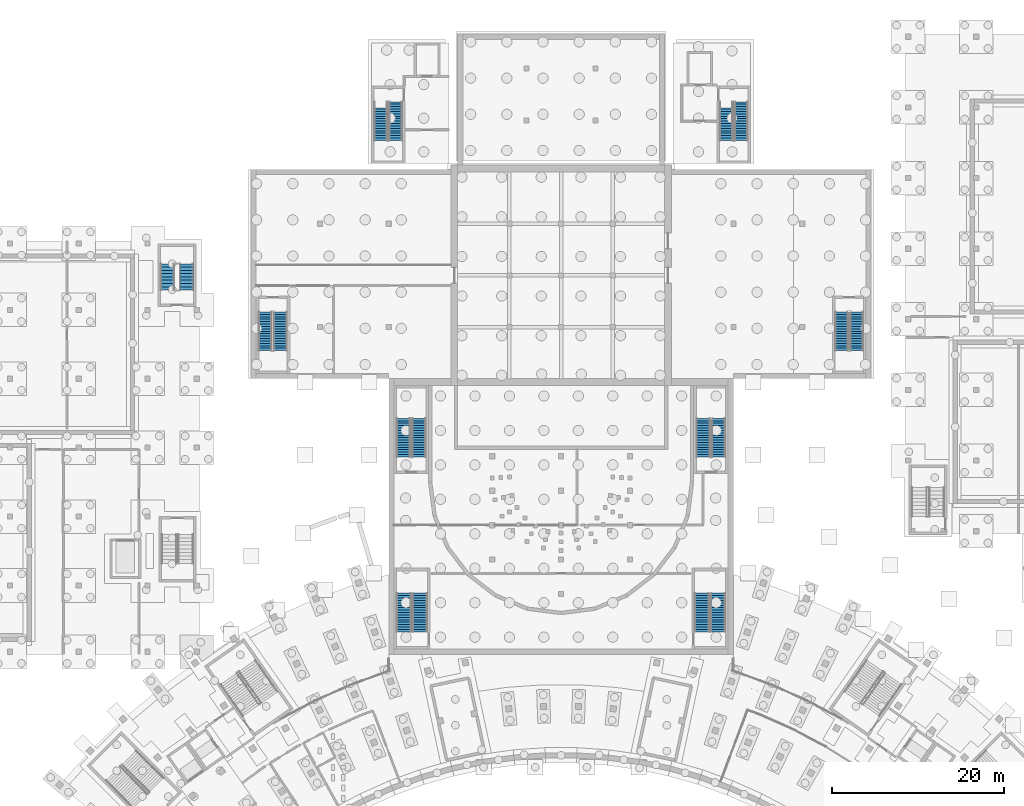
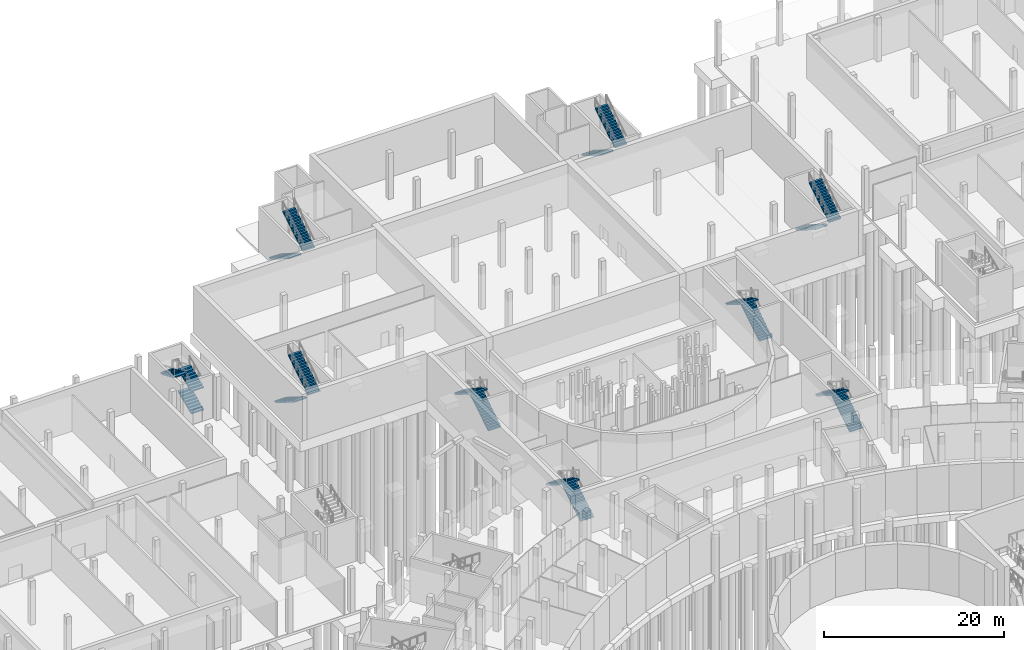
# One storey, part 32 of 66: 19 stair flights, 9 elements without a shape of their own.
"""IFC4 building model written with IfcOpenShell, lengths in metres."""

import ifcopenshell
import ifcopenshell.guid

model = None  # the IFC model being written
_history = None  # IfcOwnerHistory: only IFC2X3 demands one
_inside = {}  # id of a spatial element -> (the spatial element, [elements in it])
_under = {}  # id of a project, library or spatial element -> (it, [spatial elements below it])
_declared = {}  # id of a project -> (the project, [libraries it declares])
_typed = {}  # id of a type object -> (the type object, [elements of that type])
_made_of = {}  # id of a material, layer set ... -> (it, [elements and type objects made of it])


def new_model(schema):
    """Start an empty IFC model of exactly this schema.

    Asked for "IFC4X3", IfcOpenShell would pick the latest addendum, in which some entities
    have other attributes; the version numbers below select the first issue.
    IFC2X3 requires an IfcOwnerHistory on every rooted entity: one is made here for all.
    """
    global model, _history
    if schema == "IFC4X3":
        model = ifcopenshell.file(schema_version=(4, 3, 0, 0))
    else:
        model = ifcopenshell.file(schema=schema)
    _inside.clear()
    _under.clear()
    _declared.clear()
    _typed.clear()
    _made_of.clear()
    _history = None
    if model.schema == "IFC2X3":
        org = make("IfcOrganization", Name="unknown")
        user = make(
            "IfcPersonAndOrganization",
            ThePerson=make("IfcPerson", FamilyName="unknown"),
            TheOrganization=org,
        )
        app = make(
            "IfcApplication",
            ApplicationDeveloper=org,
            Version="unknown",
            ApplicationFullName="unknown",
            ApplicationIdentifier="unknown",
        )
        _history = make(
            "IfcOwnerHistory",
            OwningUser=user,
            OwningApplication=app,
            ChangeAction="ADDED",
            CreationDate=0,
        )
    return model


def make(cls, **values):
    """One entity of the class cls with the attributes given. An attribute that is None is left unset."""
    return model.create_entity(
        cls, **{name: value for name, value in values.items() if value is not None}
    )


def rooted(cls, **values):
    """An entity with a GlobalId (a new one), such as an element, a storey or a relation."""
    return make(cls, GlobalId=ifcopenshell.guid.new(), OwnerHistory=_history, **values)


def si_unit(unit_type, name, prefix=None):
    """IfcSIUnit, for example si_unit("LENGTHUNIT", "METRE", prefix="MILLI")."""
    return make("IfcSIUnit", UnitType=unit_type, Prefix=prefix, Name=name)


def assignment(units):
    """IfcUnitAssignment: the units of a project."""
    return None if units is None else make("IfcUnitAssignment", Units=units)


def point(xyz):
    """IfcCartesianPoint."""
    return None if xyz is None else make("IfcCartesianPoint", Coordinates=xyz)


def direction(xyz):
    """IfcDirection."""
    return None if xyz is None else make("IfcDirection", DirectionRatios=xyz)


def frame(location, z_axis=None, x_axis=None):
    """IfcAxis2Placement3D, a coordinate frame: its origin and axes. An axis left out is left unset."""
    return make(
        "IfcAxis2Placement3D",
        Location=point(location),
        Axis=direction(z_axis),
        RefDirection=direction(x_axis),
    )


def origin():
    """The frame at (0, 0, 0) with its axes left unset."""
    return frame((0.0, 0.0, 0.0))


def place(relative_to, where):
    """IfcLocalPlacement: puts the frame where relative to a parent placement (None: the world)."""
    return make(
        "IfcLocalPlacement", PlacementRelTo=relative_to, RelativePlacement=where
    )


def context(
    kind, dimensions, precision=None, world=None, true_north=None, identifier=None
):
    """IfcGeometricRepresentationContext, for example the 3D "Model" context."""
    return make(
        "IfcGeometricRepresentationContext",
        ContextIdentifier=identifier,
        ContextType=kind,
        CoordinateSpaceDimension=dimensions,
        Precision=precision,
        WorldCoordinateSystem=world,
        TrueNorth=true_north,
    )


def subcontext(parent, identifier, kind, view, scale=None):
    """IfcGeometricRepresentationSubContext, for example "Body" below "Model"."""
    return make(
        "IfcGeometricRepresentationSubContext",
        ContextIdentifier=identifier,
        ContextType=kind,
        ParentContext=parent,
        TargetScale=scale,
        TargetView=view,
    )


def project(units=None, contexts=None):
    """IfcProject with its units and contexts."""
    return rooted(
        "IfcProject",
        Name="project",
        RepresentationContexts=contexts,
        UnitsInContext=assignment(units),
    )


def spatial(cls, under=None, at=None, **own):
    """A site, building, storey or space (cls), placed at a placement, below another one or the project."""
    s = rooted(cls, ObjectPlacement=at, **own)
    if under is not None:
        _under.setdefault(under.id(), (under, []))[1].append(s)
    return s


def polyline(points):
    """IfcPolyline through the points."""
    return make("IfcPolyline", Points=[point(p) for p in points])


def outline(outer, holes=None, kind="AREA"):
    """IfcArbitraryClosedProfileDef: a profile drawn as a closed curve; with holes, ...WithVoids."""
    if holes is None:
        return make("IfcArbitraryClosedProfileDef", ProfileType=kind, OuterCurve=outer)
    return make(
        "IfcArbitraryProfileDefWithVoids",
        ProfileType=kind,
        OuterCurve=outer,
        InnerCurves=holes,
    )


def extrude(swept, where, along, depth):
    """IfcExtrudedAreaSolid: the profile swept, set in the frame where, extruded along a direction by depth."""
    return make(
        "IfcExtrudedAreaSolid",
        SweptArea=swept,
        Position=where,
        ExtrudedDirection=direction(along),
        Depth=depth,
    )


def shape(context_of_items, identifier, shape_type, items):
    """IfcShapeRepresentation: the items that make up one representation, for example the "Body"."""
    return make(
        "IfcShapeRepresentation",
        ContextOfItems=context_of_items,
        RepresentationIdentifier=identifier,
        RepresentationType=shape_type,
        Items=items,
    )


def material(Name=None, Category=None):
    """IfcMaterial."""
    return make("IfcMaterial", Name=Name, Category=Category)


def made_of(thing, what):
    """Note that an element or type object is made of a material, layer set ...; save() writes the relation."""
    if what is not None:
        _made_of.setdefault(what.id(), (what, []))[1].append(thing)
    return thing


def type_object(cls, material=None, **own):
    """A type object (cls), such as IfcWallType, which elements share."""
    return made_of(rooted(cls, **own), material)


def element(
    cls,
    number,
    at=None,
    inside=None,
    cuts=None,
    type_object=None,
    material=None,
    context=None,
    identifier="Body",
    shape_type=None,
    held_by="IfcProductDefinitionShape",
    body=None,
    shapes=None,
    **own,
):
    """One element of the class cls, such as IfcWall. Its Tag is "e" and its number.

    at: its placement. inside: the storey or other place that contains it. cuts: it is an
    opening in that element (IfcRelVoidsElement). A single representation is given by context,
    identifier, shape_type and body (its items); several are given by shapes. held_by: the class
    of the entity that holds the representations. save() writes the other relations.
    """
    e = rooted(cls, Tag="e%d" % number, ObjectPlacement=at, **own)
    if body is not None:
        shapes = [shape(context, identifier, shape_type, body)]
    if shapes is not None:
        e.Representation = make(held_by, Representations=shapes)
    if inside is not None:
        _inside.setdefault(inside.id(), (inside, []))[1].append(e)
    if cuts is not None:
        rooted(
            "IfcRelVoidsElement", RelatingBuildingElement=cuts, RelatedOpeningElement=e
        )
    if type_object is not None:
        _typed.setdefault(type_object.id(), (type_object, []))[1].append(e)
    return made_of(e, material)


def aggregate(whole, parts):
    """IfcRelAggregates: a whole, such as a stair, and the parts it consists of."""
    return rooted("IfcRelAggregates", RelatingObject=whole, RelatedObjects=parts)


def save(model, path):
    """Write the relations noted so far, then the file.

    IfcRelAggregates (storeys below a building ...), IfcRelContainedInSpatialStructure (elements
    in a storey), IfcRelDefinesByType, IfcRelAssociatesMaterial and IfcRelDeclares: one each for
    every whole, place, type object, material and project.
    """
    for whole, parts in _under.values():
        aggregate(whole, parts)
    for where, things in _inside.values():
        rooted(
            "IfcRelContainedInSpatialStructure",
            RelatedElements=things,
            RelatingStructure=where,
        )
    for kind, things in _typed.values():
        rooted("IfcRelDefinesByType", RelatedObjects=things, RelatingType=kind)
    for what, things in _made_of.values():
        rooted("IfcRelAssociatesMaterial", RelatedObjects=things, RelatingMaterial=what)
    for by, libraries in _declared.values():
        rooted("IfcRelDeclares", RelatingContext=by, RelatedDefinitions=libraries)
    model.write(path)


model = new_model("IFC4")

# Units and contexts
model_context = context("Model", 3, precision=1e-05, world=origin(), true_north=direction((0.0, 1.0)))
body_context = subcontext(model_context, "Body", "Model", "MODEL_VIEW")
ifc_project = project(units=[si_unit("LENGTHUNIT", "METRE"), si_unit("AREAUNIT", "SQUARE_METRE"), si_unit("VOLUMEUNIT", "CUBIC_METRE"), si_unit("PLANEANGLEUNIT", "RADIAN"), si_unit("MASSUNIT", "GRAM", prefix="KILO")], contexts=[model_context])

# Site, building, storey
site_placement = place(None, origin())
site = spatial("IfcSite", under=ifc_project, at=site_placement, CompositionType="ELEMENT")
building_placement = place(site_placement, origin())
building = spatial("IfcBuilding", under=site, at=building_placement, Name="Lunette Opera House", CompositionType="ELEMENT")
storey_placement = place(building_placement, frame((0.0, 0.0, -6.0)))
storey = spatial("IfcBuildingStorey", under=building, at=storey_placement, Name="B1", CompositionType="ELEMENT", Elevation=-6.0)

# Stair, stair flights
ifc_material_1 = material(Name="Concrete C35/45", Category="concrete")
stair_type_1 = type_object("IfcStairType", Name="DOGLEG STAIR 1550", PredefinedType="HALF_TURN_STAIR", material=ifc_material_1)
stair_1_placement = place(storey_placement, origin())
stair_1 = element("IfcStair", 1, at=stair_1_placement, inside=storey, type_object=stair_type_1, Name="B1 stair ST11", PredefinedType="HALF_TURN_STAIR")
ifc_material_2 = material(Name="Concrete C35/45", Category="concrete")
stair_flight_type_1 = type_object("IfcStairFlightType", Name="STRAIGHT STAIR FLIGHT 1550", PredefinedType="STRAIGHT", material=ifc_material_2)
stair_flight_1_placement = place(storey_placement, frame((75.074951171875, 128.14990234375, 0.0), z_axis=(0.0, 0.0, 1.0), x_axis=(0.0, -1.0, 0.0)))
stair_flight_1 = element("IfcStairFlight", 2, at=stair_flight_1_placement, type_object=stair_flight_type_1, Name="ST11 flight 1", NumberOfRisers=17, NumberOfTreads=16, PredefinedType="STRAIGHT", RiserHeight=0.176470588, TreadLength=0.28, context=body_context, shape_type="SweptSolid", body=[
    extrude(outline(polyline([(0.0, 0.0), (0.0, 0.176513671875), (0.280029296875, 0.176513671875), (0.280029296875, 0.35302734375), (0.56005859375, 0.35302734375), (0.56005859375, 0.529296875), (0.840087890625, 0.529296875), (0.840087890625, 0.705810546875), (1.1201171875, 0.705810546875), (1.1201171875, 0.88232421875), (1.39990234375, 0.88232421875), (1.39990234375, 1.058837890625), (1.679931640625, 1.058837890625), (1.679931640625, 1.2353515625), (1.9599609375, 1.2353515625), (1.9599609375, 1.411865234375), (2.239990234375, 1.411865234375), (2.239990234375, 1.588134765625), (2.52001953125, 1.588134765625), (2.52001953125, 1.7646484375), (2.800048828125, 1.7646484375), (2.800048828125, 1.941162109375), (3.080078125, 1.941162109375), (3.080078125, 2.11767578125), (3.360107421875, 2.11767578125), (3.360107421875, 2.294189453125), (3.639892578125, 2.294189453125), (3.639892578125, 2.470703125), (3.919921875, 2.470703125), (3.919921875, 2.64697265625), (4.199951171875, 2.64697265625), (4.199951171875, 2.823486328125), (4.47998046875, 2.823486328125), (4.47998046875, 3.0), (4.47998046875, 2.646240234375), (0.28125, 0.0), (0.0, 0.0)])), frame((0.0, 0.77490234375, 0.0), z_axis=(0.0, -1.0, 0.0), x_axis=(1.0, 0.0, 0.0)), (0.0, 0.0, 1.0), 1.550048828125),
])
stair_flight_2_placement = place(storey_placement, frame((76.824951171875, 123.669921875, 3.0), z_axis=(0.0, 0.0, 1.0), x_axis=(0.0, 1.0, 0.0)))
stair_flight_2 = element("IfcStairFlight", 3, at=stair_flight_2_placement, type_object=stair_flight_type_1, Name="ST11 flight 2", NumberOfRisers=17, NumberOfTreads=16, PredefinedType="STRAIGHT", RiserHeight=0.176470588, TreadLength=0.28, context=body_context, shape_type="SweptSolid", body=[
    extrude(outline(polyline([(0.0, 0.0), (0.0, 0.176513671875), (0.280029296875, 0.176513671875), (0.280029296875, 0.35302734375), (0.56005859375, 0.35302734375), (0.56005859375, 0.529296875), (0.840087890625, 0.529296875), (0.840087890625, 0.705810546875), (1.1201171875, 0.705810546875), (1.1201171875, 0.88232421875), (1.39990234375, 0.88232421875), (1.39990234375, 1.058837890625), (1.679931640625, 1.058837890625), (1.679931640625, 1.2353515625), (1.9599609375, 1.2353515625), (1.9599609375, 1.411865234375), (2.239990234375, 1.411865234375), (2.239990234375, 1.588134765625), (2.52001953125, 1.588134765625), (2.52001953125, 1.7646484375), (2.800048828125, 1.7646484375), (2.800048828125, 1.941162109375), (3.080078125, 1.941162109375), (3.080078125, 2.11767578125), (3.360107421875, 2.11767578125), (3.360107421875, 2.294189453125), (3.639892578125, 2.294189453125), (3.639892578125, 2.470703125), (3.919921875, 2.470703125), (3.919921875, 2.64697265625), (4.199951171875, 2.64697265625), (4.199951171875, 2.823486328125), (4.47998046875, 2.823486328125), (4.47998046875, 3.0), (4.47998046875, 2.646240234375), (0.28125, 0.0), (0.0, 0.0)])), frame((0.0, 0.77490234375, 0.0), z_axis=(0.0, -1.0, 0.0), x_axis=(1.0, 0.0, 0.0)), (0.0, 0.0, 1.0), 1.550048828125),
])
aggregate(stair_1, [stair_flight_1, stair_flight_2])

stair_2_placement = place(storey_placement, origin())
stair_2 = element("IfcStair", 4, at=stair_2_placement, inside=storey, type_object=stair_type_1, Name="B1 stair ST12", PredefinedType="HALF_TURN_STAIR")
stair_flight_3_placement = place(storey_placement, frame((115.175048828125, 128.14990234375, 0.0), z_axis=(0.0, 0.0, 1.0), x_axis=(0.0, -1.0, 0.0)))
stair_flight_3 = element("IfcStairFlight", 5, at=stair_flight_3_placement, type_object=stair_flight_type_1, Name="ST12 flight 1", NumberOfRisers=17, NumberOfTreads=16, PredefinedType="STRAIGHT", RiserHeight=0.176470588, TreadLength=0.28, context=body_context, shape_type="SweptSolid", body=[
    extrude(outline(polyline([(0.0, 0.0), (0.0, 0.176513671875), (0.280029296875, 0.176513671875), (0.280029296875, 0.35302734375), (0.56005859375, 0.35302734375), (0.56005859375, 0.529296875), (0.840087890625, 0.529296875), (0.840087890625, 0.705810546875), (1.1201171875, 0.705810546875), (1.1201171875, 0.88232421875), (1.39990234375, 0.88232421875), (1.39990234375, 1.058837890625), (1.679931640625, 1.058837890625), (1.679931640625, 1.2353515625), (1.9599609375, 1.2353515625), (1.9599609375, 1.411865234375), (2.239990234375, 1.411865234375), (2.239990234375, 1.588134765625), (2.52001953125, 1.588134765625), (2.52001953125, 1.7646484375), (2.800048828125, 1.7646484375), (2.800048828125, 1.941162109375), (3.080078125, 1.941162109375), (3.080078125, 2.11767578125), (3.360107421875, 2.11767578125), (3.360107421875, 2.294189453125), (3.639892578125, 2.294189453125), (3.639892578125, 2.470703125), (3.919921875, 2.470703125), (3.919921875, 2.64697265625), (4.199951171875, 2.64697265625), (4.199951171875, 2.823486328125), (4.47998046875, 2.823486328125), (4.47998046875, 3.0), (4.47998046875, 2.646240234375), (0.28125, 0.0), (0.0, 0.0)])), frame((0.0, 0.77490234375, 0.0), z_axis=(0.0, -1.0, 0.0), x_axis=(1.0, 0.0, 0.0)), (0.0, 0.0, 1.0), 1.550048828125),
])
stair_flight_4_placement = place(storey_placement, frame((116.925048828125, 123.669921875, 3.0), z_axis=(0.0, 0.0, 1.0), x_axis=(0.0, 1.0, 0.0)))
stair_flight_4 = element("IfcStairFlight", 6, at=stair_flight_4_placement, type_object=stair_flight_type_1, Name="ST12 flight 2", NumberOfRisers=17, NumberOfTreads=16, PredefinedType="STRAIGHT", RiserHeight=0.176470588, TreadLength=0.28, context=body_context, shape_type="SweptSolid", body=[
    extrude(outline(polyline([(0.0, 0.0), (0.0, 0.176513671875), (0.280029296875, 0.176513671875), (0.280029296875, 0.35302734375), (0.56005859375, 0.35302734375), (0.56005859375, 0.529296875), (0.840087890625, 0.529296875), (0.840087890625, 0.705810546875), (1.1201171875, 0.705810546875), (1.1201171875, 0.88232421875), (1.39990234375, 0.88232421875), (1.39990234375, 1.058837890625), (1.679931640625, 1.058837890625), (1.679931640625, 1.2353515625), (1.9599609375, 1.2353515625), (1.9599609375, 1.411865234375), (2.239990234375, 1.411865234375), (2.239990234375, 1.588134765625), (2.52001953125, 1.588134765625), (2.52001953125, 1.7646484375), (2.800048828125, 1.7646484375), (2.800048828125, 1.941162109375), (3.080078125, 1.941162109375), (3.080078125, 2.11767578125), (3.360107421875, 2.11767578125), (3.360107421875, 2.294189453125), (3.639892578125, 2.294189453125), (3.639892578125, 2.470703125), (3.919921875, 2.470703125), (3.919921875, 2.64697265625), (4.199951171875, 2.64697265625), (4.199951171875, 2.823486328125), (4.47998046875, 2.823486328125), (4.47998046875, 3.0), (4.47998046875, 2.646240234375), (0.28125, 0.0), (0.0, 0.0)])), frame((0.0, 0.77490234375, 0.0), z_axis=(0.0, -1.0, 0.0), x_axis=(1.0, 0.0, 0.0)), (0.0, 0.0, 1.0), 1.550048828125),
])
aggregate(stair_2, [stair_flight_3, stair_flight_4])

stair_3_placement = place(storey_placement, origin())
stair_3 = element("IfcStair", 7, at=stair_3_placement, inside=storey, type_object=stair_type_1, Name="B1 stair ST13", PredefinedType="HALF_TURN_STAIR")
stair_flight_5_placement = place(storey_placement, frame((61.675048828125, 103.75, 0.0), z_axis=(0.0, 0.0, 1.0), x_axis=(0.0, -1.0, 0.0)))
stair_flight_5 = element("IfcStairFlight", 8, at=stair_flight_5_placement, type_object=stair_flight_type_1, Name="ST13 flight 1", NumberOfRisers=17, NumberOfTreads=16, PredefinedType="STRAIGHT", RiserHeight=0.176470588, TreadLength=0.28, context=body_context, shape_type="SweptSolid", body=[
    extrude(outline(polyline([(0.0, 0.0), (0.0, 0.176513671875), (0.280029296875, 0.176513671875), (0.280029296875, 0.35302734375), (0.56005859375, 0.35302734375), (0.56005859375, 0.529296875), (0.840087890625, 0.529296875), (0.840087890625, 0.705810546875), (1.1201171875, 0.705810546875), (1.1201171875, 0.88232421875), (1.39990234375, 0.88232421875), (1.39990234375, 1.058837890625), (1.679931640625, 1.058837890625), (1.679931640625, 1.2353515625), (1.9599609375, 1.2353515625), (1.9599609375, 1.411865234375), (2.239990234375, 1.411865234375), (2.239990234375, 1.588134765625), (2.52001953125, 1.588134765625), (2.52001953125, 1.7646484375), (2.800048828125, 1.7646484375), (2.800048828125, 1.941162109375), (3.080078125, 1.941162109375), (3.080078125, 2.11767578125), (3.360107421875, 2.11767578125), (3.360107421875, 2.294189453125), (3.639892578125, 2.294189453125), (3.639892578125, 2.470703125), (3.919921875, 2.470703125), (3.919921875, 2.64697265625), (4.199951171875, 2.64697265625), (4.199951171875, 2.823486328125), (4.47998046875, 2.823486328125), (4.47998046875, 3.0), (4.47998046875, 2.646240234375), (0.28125, 0.0), (0.0, 0.0)])), frame((0.0, 0.77490234375, 0.0), z_axis=(0.0, -1.0, 0.0), x_axis=(1.0, 0.0, 0.0)), (0.0, 0.0, 1.0), 1.550048828125),
])
stair_flight_6_placement = place(storey_placement, frame((63.425048828125, 99.27001953125, 3.0), z_axis=(0.0, 0.0, 1.0), x_axis=(0.0, 1.0, 0.0)))
stair_flight_6 = element("IfcStairFlight", 9, at=stair_flight_6_placement, type_object=stair_flight_type_1, Name="ST13 flight 2", NumberOfRisers=17, NumberOfTreads=16, PredefinedType="STRAIGHT", RiserHeight=0.176470588, TreadLength=0.28, context=body_context, shape_type="SweptSolid", body=[
    extrude(outline(polyline([(0.0, 0.0), (0.0, 0.176513671875), (0.280029296875, 0.176513671875), (0.280029296875, 0.35302734375), (0.56005859375, 0.35302734375), (0.56005859375, 0.529296875), (0.840087890625, 0.529296875), (0.840087890625, 0.705810546875), (1.1201171875, 0.705810546875), (1.1201171875, 0.88232421875), (1.39990234375, 0.88232421875), (1.39990234375, 1.058837890625), (1.679931640625, 1.058837890625), (1.679931640625, 1.2353515625), (1.9599609375, 1.2353515625), (1.9599609375, 1.411865234375), (2.239990234375, 1.411865234375), (2.239990234375, 1.588134765625), (2.52001953125, 1.588134765625), (2.52001953125, 1.7646484375), (2.800048828125, 1.7646484375), (2.800048828125, 1.941162109375), (3.080078125, 1.941162109375), (3.080078125, 2.11767578125), (3.360107421875, 2.11767578125), (3.360107421875, 2.294189453125), (3.639892578125, 2.294189453125), (3.639892578125, 2.470703125), (3.919921875, 2.470703125), (3.919921875, 2.64697265625), (4.199951171875, 2.64697265625), (4.199951171875, 2.823486328125), (4.47998046875, 2.823486328125), (4.47998046875, 3.0), (4.47998046875, 2.646240234375), (0.28125, 0.0), (0.0, 0.0)])), frame((0.0, 0.77490234375, 0.0), z_axis=(0.0, -1.0, 0.0), x_axis=(1.0, 0.0, 0.0)), (0.0, 0.0, 1.0), 1.550048828125),
])
aggregate(stair_3, [stair_flight_5, stair_flight_6])

stair_4_placement = place(storey_placement, origin())
stair_4 = element("IfcStair", 10, at=stair_4_placement, inside=storey, type_object=stair_type_1, Name="B1 stair ST14", PredefinedType="HALF_TURN_STAIR")
stair_flight_7_placement = place(storey_placement, frame((128.574951171875, 103.75, 0.0), z_axis=(0.0, 0.0, 1.0), x_axis=(0.0, -1.0, 0.0)))
stair_flight_7 = element("IfcStairFlight", 11, at=stair_flight_7_placement, type_object=stair_flight_type_1, Name="ST14 flight 1", NumberOfRisers=17, NumberOfTreads=16, PredefinedType="STRAIGHT", RiserHeight=0.176470588, TreadLength=0.28, context=body_context, shape_type="SweptSolid", body=[
    extrude(outline(polyline([(0.0, 0.0), (0.0, 0.176513671875), (0.280029296875, 0.176513671875), (0.280029296875, 0.35302734375), (0.56005859375, 0.35302734375), (0.56005859375, 0.529296875), (0.840087890625, 0.529296875), (0.840087890625, 0.705810546875), (1.1201171875, 0.705810546875), (1.1201171875, 0.88232421875), (1.39990234375, 0.88232421875), (1.39990234375, 1.058837890625), (1.679931640625, 1.058837890625), (1.679931640625, 1.2353515625), (1.9599609375, 1.2353515625), (1.9599609375, 1.411865234375), (2.239990234375, 1.411865234375), (2.239990234375, 1.588134765625), (2.52001953125, 1.588134765625), (2.52001953125, 1.7646484375), (2.800048828125, 1.7646484375), (2.800048828125, 1.941162109375), (3.080078125, 1.941162109375), (3.080078125, 2.11767578125), (3.360107421875, 2.11767578125), (3.360107421875, 2.294189453125), (3.639892578125, 2.294189453125), (3.639892578125, 2.470703125), (3.919921875, 2.470703125), (3.919921875, 2.64697265625), (4.199951171875, 2.64697265625), (4.199951171875, 2.823486328125), (4.47998046875, 2.823486328125), (4.47998046875, 3.0), (4.47998046875, 2.646240234375), (0.28125, 0.0), (0.0, 0.0)])), frame((0.0, 0.77490234375, 0.0), z_axis=(0.0, -1.0, 0.0), x_axis=(1.0, 0.0, 0.0)), (0.0, 0.0, 1.0), 1.550048828125),
])
stair_flight_8_placement = place(storey_placement, frame((130.324951171875, 99.27001953125, 3.0), z_axis=(0.0, 0.0, 1.0), x_axis=(0.0, 1.0, 0.0)))
stair_flight_8 = element("IfcStairFlight", 12, at=stair_flight_8_placement, type_object=stair_flight_type_1, Name="ST14 flight 2", NumberOfRisers=17, NumberOfTreads=16, PredefinedType="STRAIGHT", RiserHeight=0.176470588, TreadLength=0.28, context=body_context, shape_type="SweptSolid", body=[
    extrude(outline(polyline([(0.0, 0.0), (0.0, 0.176513671875), (0.280029296875, 0.176513671875), (0.280029296875, 0.35302734375), (0.56005859375, 0.35302734375), (0.56005859375, 0.529296875), (0.840087890625, 0.529296875), (0.840087890625, 0.705810546875), (1.1201171875, 0.705810546875), (1.1201171875, 0.88232421875), (1.39990234375, 0.88232421875), (1.39990234375, 1.058837890625), (1.679931640625, 1.058837890625), (1.679931640625, 1.2353515625), (1.9599609375, 1.2353515625), (1.9599609375, 1.411865234375), (2.239990234375, 1.411865234375), (2.239990234375, 1.588134765625), (2.52001953125, 1.588134765625), (2.52001953125, 1.7646484375), (2.800048828125, 1.7646484375), (2.800048828125, 1.941162109375), (3.080078125, 1.941162109375), (3.080078125, 2.11767578125), (3.360107421875, 2.11767578125), (3.360107421875, 2.294189453125), (3.639892578125, 2.294189453125), (3.639892578125, 2.470703125), (3.919921875, 2.470703125), (3.919921875, 2.64697265625), (4.199951171875, 2.64697265625), (4.199951171875, 2.823486328125), (4.47998046875, 2.823486328125), (4.47998046875, 3.0), (4.47998046875, 2.646240234375), (0.28125, 0.0), (0.0, 0.0)])), frame((0.0, 0.77490234375, 0.0), z_axis=(0.0, -1.0, 0.0), x_axis=(1.0, 0.0, 0.0)), (0.0, 0.0, 1.0), 1.550048828125),
])
aggregate(stair_4, [stair_flight_7, stair_flight_8])

ifc_material_3 = material(Name="Concrete C35/45", Category="concrete")
stair_type_2 = type_object("IfcStairType", Name="DOGLEG STAIR 1600", PredefinedType="HALF_TURN_STAIR", material=ifc_material_3)
stair_5_placement = place(storey_placement, origin())
stair_5 = element("IfcStair", 13, at=stair_5_placement, inside=storey, type_object=stair_type_2, Name="B1 stair ST17", PredefinedType="HALF_TURN_STAIR")
ifc_material_4 = material(Name="Concrete C35/45", Category="concrete")
stair_flight_type_2 = type_object("IfcStairFlightType", Name="STRAIGHT STAIR FLIGHT 1600", PredefinedType="STRAIGHT", material=ifc_material_4)
stair_flight_9_placement = place(storey_placement, frame((52.534912109375, 106.300048828125, 0.0), z_axis=(0.0, 0.0, 1.0), x_axis=(0.0, 1.0, 0.0)))
stair_flight_9 = element("IfcStairFlight", 14, at=stair_flight_9_placement, type_object=stair_flight_type_2, Name="ST17 flight 1", NumberOfRisers=9, NumberOfTreads=8, PredefinedType="STRAIGHT", RiserHeight=0.166666667, TreadLength=0.38, context=body_context, shape_type="SweptSolid", body=[
    extrude(outline(polyline([(0.0, 0.0), (0.0, 0.166748046875), (0.3798828125, 0.166748046875), (0.3798828125, 0.333251953125), (0.760009765625, 0.333251953125), (0.760009765625, 0.5), (1.139892578125, 0.5), (1.139892578125, 0.666748046875), (1.52001953125, 0.666748046875), (1.52001953125, 0.833251953125), (1.89990234375, 0.833251953125), (1.89990234375, 1.0), (2.280029296875, 1.0), (2.280029296875, 1.166748046875), (2.659912109375, 1.166748046875), (2.659912109375, 1.333251953125), (3.0400390625, 1.333251953125), (3.0400390625, 1.5), (3.0400390625, 1.169677734375), (0.373291015625, 0.0), (0.0, 0.0)])), frame((0.0, 0.800048828125, 0.0), z_axis=(0.0, -1.0, 0.0), x_axis=(1.0, 0.0, 0.0)), (0.0, 0.0, 1.0), 1.60009765625),
])
stair_flight_10_placement = place(storey_placement, frame((52.534912109375, 106.300048828125, 3.0), z_axis=(0.0, 0.0, 1.0), x_axis=(0.0, 1.0, 0.0)))
stair_flight_10 = element("IfcStairFlight", 15, at=stair_flight_10_placement, type_object=stair_flight_type_2, Name="ST17 flight 3", NumberOfRisers=9, NumberOfTreads=8, PredefinedType="STRAIGHT", RiserHeight=0.166666667, TreadLength=0.38, context=body_context, shape_type="SweptSolid", body=[
    extrude(outline(polyline([(0.0, 0.0), (0.0, 0.166748046875), (0.3798828125, 0.166748046875), (0.3798828125, 0.333251953125), (0.760009765625, 0.333251953125), (0.760009765625, 0.5), (1.139892578125, 0.5), (1.139892578125, 0.666748046875), (1.52001953125, 0.666748046875), (1.52001953125, 0.833251953125), (1.89990234375, 0.833251953125), (1.89990234375, 1.0), (2.280029296875, 1.0), (2.280029296875, 1.166748046875), (2.659912109375, 1.166748046875), (2.659912109375, 1.333251953125), (3.0400390625, 1.333251953125), (3.0400390625, 1.5), (3.0400390625, 1.169677734375), (0.373291015625, 0.0), (0.0, 0.0)])), frame((0.0, 0.800048828125, 0.0), z_axis=(0.0, -1.0, 0.0), x_axis=(1.0, 0.0, 0.0)), (0.0, 0.0, 1.0), 1.60009765625),
])
stair_flight_11_placement = place(storey_placement, frame((50.300048828125, 109.340087890625, 4.5), z_axis=(0.0, 0.0, 1.0), x_axis=(0.0, -1.0, 0.0)))
stair_flight_11 = element("IfcStairFlight", 16, at=stair_flight_11_placement, type_object=stair_flight_type_2, Name="ST17 flight 4", NumberOfRisers=9, NumberOfTreads=8, PredefinedType="STRAIGHT", RiserHeight=0.166666667, TreadLength=0.38, context=body_context, shape_type="SweptSolid", body=[
    extrude(outline(polyline([(0.0, 0.0), (0.0, 0.166748046875), (0.3798828125, 0.166748046875), (0.3798828125, 0.333251953125), (0.760009765625, 0.333251953125), (0.760009765625, 0.5), (1.139892578125, 0.5), (1.139892578125, 0.666748046875), (1.52001953125, 0.666748046875), (1.52001953125, 0.833251953125), (1.89990234375, 0.833251953125), (1.89990234375, 1.0), (2.280029296875, 1.0), (2.280029296875, 1.166748046875), (2.659912109375, 1.166748046875), (2.659912109375, 1.333251953125), (3.0400390625, 1.333251953125), (3.0400390625, 1.5), (3.0400390625, 1.169677734375), (0.373291015625, 0.0), (0.0, 0.0)])), frame((0.0, 0.800048828125, 0.0), z_axis=(0.0, -1.0, 0.0), x_axis=(1.0, 0.0, 0.0)), (0.0, 0.0, 1.0), 1.60009765625),
])
aggregate(stair_5, [stair_flight_9, stair_flight_10, stair_flight_11])

ifc_material_5 = material(Name="Concrete C35/45", Category="concrete")
stair_type_3 = type_object("IfcStairType", Name="DOGLEG STAIR 1620", PredefinedType="HALF_TURN_STAIR", material=ifc_material_5)
stair_6_placement = place(storey_placement, origin())
stair_6 = element("IfcStair", 17, at=stair_6_placement, inside=storey, type_object=stair_type_3, Name="B1 stair ST10", PredefinedType="HALF_TURN_STAIR")
ifc_material_6 = material(Name="Concrete C35/45", Category="concrete")
stair_flight_type_3 = type_object("IfcStairFlightType", Name="STRAIGHT STAIR FLIGHT 1620", PredefinedType="STRAIGHT", material=ifc_material_6)
stair_flight_12_placement = place(storey_placement, frame((79.489990234375, 86.919921875, 0.0), z_axis=(0.0, 0.0, 1.0), x_axis=(0.0, 1.0, 0.0)))
stair_flight_12 = element("IfcStairFlight", 18, at=stair_flight_12_placement, type_object=stair_flight_type_3, Name="ST10 flight 1", NumberOfRisers=17, NumberOfTreads=16, PredefinedType="STRAIGHT", RiserHeight=0.176470588, TreadLength=0.28, context=body_context, shape_type="SweptSolid", body=[
    extrude(outline(polyline([(0.0, 0.0), (0.0, 0.176513671875), (0.280029296875, 0.176513671875), (0.280029296875, 0.35302734375), (0.56005859375, 0.35302734375), (0.56005859375, 0.529296875), (0.840087890625, 0.529296875), (0.840087890625, 0.705810546875), (1.1201171875, 0.705810546875), (1.1201171875, 0.88232421875), (1.39990234375, 0.88232421875), (1.39990234375, 1.058837890625), (1.679931640625, 1.058837890625), (1.679931640625, 1.2353515625), (1.9599609375, 1.2353515625), (1.9599609375, 1.411865234375), (2.239990234375, 1.411865234375), (2.239990234375, 1.588134765625), (2.52001953125, 1.588134765625), (2.52001953125, 1.7646484375), (2.800048828125, 1.7646484375), (2.800048828125, 1.941162109375), (3.080078125, 1.941162109375), (3.080078125, 2.11767578125), (3.360107421875, 2.11767578125), (3.360107421875, 2.294189453125), (3.639892578125, 2.294189453125), (3.639892578125, 2.470703125), (3.919921875, 2.470703125), (3.919921875, 2.64697265625), (4.199951171875, 2.64697265625), (4.199951171875, 2.823486328125), (4.47998046875, 2.823486328125), (4.47998046875, 3.0), (4.47998046875, 2.646240234375), (0.28125, 0.0), (0.0, 0.0)])), frame((0.0, 0.81005859375, 0.0), z_axis=(0.0, -1.0, 0.0), x_axis=(1.0, 0.0, 0.0)), (0.0, 0.0, 1.0), 1.6201171875),
])
stair_flight_13_placement = place(storey_placement, frame((77.7099609375, 91.39990234375, 3.0), z_axis=(0.0, 0.0, 1.0), x_axis=(0.0, -1.0, 0.0)))
stair_flight_13 = element("IfcStairFlight", 19, at=stair_flight_13_placement, type_object=stair_flight_type_3, Name="ST10 flight 2", NumberOfRisers=17, NumberOfTreads=16, PredefinedType="STRAIGHT", RiserHeight=0.176470588, TreadLength=0.28, context=body_context, shape_type="SweptSolid", body=[
    extrude(outline(polyline([(0.0, 0.0), (0.0, 0.176513671875), (0.280029296875, 0.176513671875), (0.280029296875, 0.35302734375), (0.56005859375, 0.35302734375), (0.56005859375, 0.529296875), (0.840087890625, 0.529296875), (0.840087890625, 0.705810546875), (1.1201171875, 0.705810546875), (1.1201171875, 0.88232421875), (1.39990234375, 0.88232421875), (1.39990234375, 1.058837890625), (1.679931640625, 1.058837890625), (1.679931640625, 1.2353515625), (1.9599609375, 1.2353515625), (1.9599609375, 1.411865234375), (2.239990234375, 1.411865234375), (2.239990234375, 1.588134765625), (2.52001953125, 1.588134765625), (2.52001953125, 1.7646484375), (2.800048828125, 1.7646484375), (2.800048828125, 1.941162109375), (3.080078125, 1.941162109375), (3.080078125, 2.11767578125), (3.360107421875, 2.11767578125), (3.360107421875, 2.294189453125), (3.639892578125, 2.294189453125), (3.639892578125, 2.470703125), (3.919921875, 2.470703125), (3.919921875, 2.64697265625), (4.199951171875, 2.64697265625), (4.199951171875, 2.823486328125), (4.47998046875, 2.823486328125), (4.47998046875, 3.0), (4.47998046875, 2.646240234375), (0.28125, 0.0), (0.0, 0.0)])), frame((0.0, 0.81005859375, 0.0), z_axis=(0.0, -1.0, 0.0), x_axis=(1.0, 0.0, 0.0)), (0.0, 0.0, 1.0), 1.6201171875),
])
aggregate(stair_6, [stair_flight_12, stair_flight_13])

stair_7_placement = place(storey_placement, origin())
stair_7 = element("IfcStair", 20, at=stair_7_placement, inside=storey, type_object=stair_type_3, Name="B1 stair ST9", PredefinedType="HALF_TURN_STAIR")
stair_flight_14_placement = place(storey_placement, frame((114.2900390625, 86.919921875, 0.0), z_axis=(0.0, 0.0, 1.0), x_axis=(0.0, 1.0, 0.0)))
stair_flight_14 = element("IfcStairFlight", 21, at=stair_flight_14_placement, type_object=stair_flight_type_3, Name="ST9 flight 1", NumberOfRisers=17, NumberOfTreads=16, PredefinedType="STRAIGHT", RiserHeight=0.176470588, TreadLength=0.28, context=body_context, shape_type="SweptSolid", body=[
    extrude(outline(polyline([(0.0, 0.0), (0.0, 0.176513671875), (0.280029296875, 0.176513671875), (0.280029296875, 0.35302734375), (0.56005859375, 0.35302734375), (0.56005859375, 0.529296875), (0.840087890625, 0.529296875), (0.840087890625, 0.705810546875), (1.1201171875, 0.705810546875), (1.1201171875, 0.88232421875), (1.39990234375, 0.88232421875), (1.39990234375, 1.058837890625), (1.679931640625, 1.058837890625), (1.679931640625, 1.2353515625), (1.9599609375, 1.2353515625), (1.9599609375, 1.411865234375), (2.239990234375, 1.411865234375), (2.239990234375, 1.588134765625), (2.52001953125, 1.588134765625), (2.52001953125, 1.7646484375), (2.800048828125, 1.7646484375), (2.800048828125, 1.941162109375), (3.080078125, 1.941162109375), (3.080078125, 2.11767578125), (3.360107421875, 2.11767578125), (3.360107421875, 2.294189453125), (3.639892578125, 2.294189453125), (3.639892578125, 2.470703125), (3.919921875, 2.470703125), (3.919921875, 2.64697265625), (4.199951171875, 2.64697265625), (4.199951171875, 2.823486328125), (4.47998046875, 2.823486328125), (4.47998046875, 3.0), (4.47998046875, 2.646240234375), (0.28125, 0.0), (0.0, 0.0)])), frame((0.0, 0.81005859375, 0.0), z_axis=(0.0, -1.0, 0.0), x_axis=(1.0, 0.0, 0.0)), (0.0, 0.0, 1.0), 1.6201171875),
])
stair_flight_15_placement = place(storey_placement, frame((112.510009765625, 91.39990234375, 3.0), z_axis=(0.0, 0.0, 1.0), x_axis=(0.0, -1.0, 0.0)))
stair_flight_15 = element("IfcStairFlight", 22, at=stair_flight_15_placement, type_object=stair_flight_type_3, Name="ST9 flight 2", NumberOfRisers=17, NumberOfTreads=16, PredefinedType="STRAIGHT", RiserHeight=0.176470588, TreadLength=0.28, context=body_context, shape_type="SweptSolid", body=[
    extrude(outline(polyline([(0.0, 0.0), (0.0, 0.176513671875), (0.280029296875, 0.176513671875), (0.280029296875, 0.35302734375), (0.56005859375, 0.35302734375), (0.56005859375, 0.529296875), (0.840087890625, 0.529296875), (0.840087890625, 0.705810546875), (1.1201171875, 0.705810546875), (1.1201171875, 0.88232421875), (1.39990234375, 0.88232421875), (1.39990234375, 1.058837890625), (1.679931640625, 1.058837890625), (1.679931640625, 1.2353515625), (1.9599609375, 1.2353515625), (1.9599609375, 1.411865234375), (2.239990234375, 1.411865234375), (2.239990234375, 1.588134765625), (2.52001953125, 1.588134765625), (2.52001953125, 1.7646484375), (2.800048828125, 1.7646484375), (2.800048828125, 1.941162109375), (3.080078125, 1.941162109375), (3.080078125, 2.11767578125), (3.360107421875, 2.11767578125), (3.360107421875, 2.294189453125), (3.639892578125, 2.294189453125), (3.639892578125, 2.470703125), (3.919921875, 2.470703125), (3.919921875, 2.64697265625), (4.199951171875, 2.64697265625), (4.199951171875, 2.823486328125), (4.47998046875, 2.823486328125), (4.47998046875, 3.0), (4.47998046875, 2.646240234375), (0.28125, 0.0), (0.0, 0.0)])), frame((0.0, 0.81005859375, 0.0), z_axis=(0.0, -1.0, 0.0), x_axis=(1.0, 0.0, 0.0)), (0.0, 0.0, 1.0), 1.6201171875),
])
aggregate(stair_7, [stair_flight_14, stair_flight_15])

ifc_material_7 = material(Name="Concrete C35/45", Category="concrete")
stair_type_4 = type_object("IfcStairType", Name="DOGLEG STAIR 1720", PredefinedType="HALF_TURN_STAIR", material=ifc_material_7)
stair_8_placement = place(storey_placement, origin())
stair_8 = element("IfcStair", 23, at=stair_8_placement, inside=storey, type_object=stair_type_4, Name="B1 stair ST7", PredefinedType="HALF_TURN_STAIR")
ifc_material_8 = material(Name="Concrete C35/45", Category="concrete")
stair_flight_type_4 = type_object("IfcStairFlightType", Name="STRAIGHT STAIR FLIGHT 1720", PredefinedType="STRAIGHT", material=ifc_material_8)
stair_flight_16_placement = place(storey_placement, frame((79.639892578125, 66.6201171875, 0.0), z_axis=(0.0, 0.0, 1.0), x_axis=(0.0, 1.0, 0.0)))
stair_flight_16 = element("IfcStairFlight", 24, at=stair_flight_16_placement, type_object=stair_flight_type_4, Name="ST7 flight 1", NumberOfRisers=17, NumberOfTreads=16, PredefinedType="STRAIGHT", RiserHeight=0.176470588, TreadLength=0.28, context=body_context, shape_type="SweptSolid", body=[
    extrude(outline(polyline([(0.0, 0.0), (0.0, 0.176513671875), (0.280029296875, 0.176513671875), (0.280029296875, 0.35302734375), (0.56005859375, 0.35302734375), (0.56005859375, 0.529296875), (0.840087890625, 0.529296875), (0.840087890625, 0.705810546875), (1.1201171875, 0.705810546875), (1.1201171875, 0.88232421875), (1.39990234375, 0.88232421875), (1.39990234375, 1.058837890625), (1.679931640625, 1.058837890625), (1.679931640625, 1.2353515625), (1.9599609375, 1.2353515625), (1.9599609375, 1.411865234375), (2.239990234375, 1.411865234375), (2.239990234375, 1.588134765625), (2.52001953125, 1.588134765625), (2.52001953125, 1.7646484375), (2.800048828125, 1.7646484375), (2.800048828125, 1.941162109375), (3.080078125, 1.941162109375), (3.080078125, 2.11767578125), (3.360107421875, 2.11767578125), (3.360107421875, 2.294189453125), (3.639892578125, 2.294189453125), (3.639892578125, 2.470703125), (3.919921875, 2.470703125), (3.919921875, 2.64697265625), (4.199951171875, 2.64697265625), (4.199951171875, 2.823486328125), (4.47998046875, 2.823486328125), (4.47998046875, 3.0), (4.47998046875, 2.646240234375), (0.28125, 0.0), (0.0, 0.0)])), frame((0.0, 0.85986328125, 0.0), z_axis=(0.0, -1.0, 0.0), x_axis=(1.0, 0.0, 0.0)), (0.0, 0.0, 1.0), 1.719970703125),
])
stair_flight_17_placement = place(storey_placement, frame((77.760009765625, 71.10009765625, 3.0), z_axis=(0.0, 0.0, 1.0), x_axis=(0.0, -1.0, 0.0)))
stair_flight_17 = element("IfcStairFlight", 25, at=stair_flight_17_placement, type_object=stair_flight_type_4, Name="ST7 flight 2", NumberOfRisers=17, NumberOfTreads=16, PredefinedType="STRAIGHT", RiserHeight=0.176470588, TreadLength=0.28, context=body_context, shape_type="SweptSolid", body=[
    extrude(outline(polyline([(0.0, 0.0), (0.0, 0.176513671875), (0.280029296875, 0.176513671875), (0.280029296875, 0.35302734375), (0.56005859375, 0.35302734375), (0.56005859375, 0.529296875), (0.840087890625, 0.529296875), (0.840087890625, 0.705810546875), (1.1201171875, 0.705810546875), (1.1201171875, 0.88232421875), (1.39990234375, 0.88232421875), (1.39990234375, 1.058837890625), (1.679931640625, 1.058837890625), (1.679931640625, 1.2353515625), (1.9599609375, 1.2353515625), (1.9599609375, 1.411865234375), (2.239990234375, 1.411865234375), (2.239990234375, 1.588134765625), (2.52001953125, 1.588134765625), (2.52001953125, 1.7646484375), (2.800048828125, 1.7646484375), (2.800048828125, 1.941162109375), (3.080078125, 1.941162109375), (3.080078125, 2.11767578125), (3.360107421875, 2.11767578125), (3.360107421875, 2.294189453125), (3.639892578125, 2.294189453125), (3.639892578125, 2.470703125), (3.919921875, 2.470703125), (3.919921875, 2.64697265625), (4.199951171875, 2.64697265625), (4.199951171875, 2.823486328125), (4.47998046875, 2.823486328125), (4.47998046875, 3.0), (4.47998046875, 2.646240234375), (0.28125, 0.0), (0.0, 0.0)])), frame((0.0, 0.85986328125, 0.0), z_axis=(0.0, -1.0, 0.0), x_axis=(1.0, 0.0, 0.0)), (0.0, 0.0, 1.0), 1.719970703125),
])
aggregate(stair_8, [stair_flight_16, stair_flight_17])

stair_9_placement = place(storey_placement, origin())
stair_9 = element("IfcStair", 26, at=stair_9_placement, inside=storey, type_object=stair_type_4, Name="B1 stair ST8", PredefinedType="HALF_TURN_STAIR")
stair_flight_18_placement = place(storey_placement, frame((114.239990234375, 66.6201171875, 0.0), z_axis=(0.0, 0.0, 1.0), x_axis=(0.0, 1.0, 0.0)))
stair_flight_18 = element("IfcStairFlight", 27, at=stair_flight_18_placement, type_object=stair_flight_type_4, Name="ST8 flight 1", NumberOfRisers=17, NumberOfTreads=16, PredefinedType="STRAIGHT", RiserHeight=0.176470588, TreadLength=0.28, context=body_context, shape_type="SweptSolid", body=[
    extrude(outline(polyline([(0.0, 0.0), (0.0, 0.176513671875), (0.280029296875, 0.176513671875), (0.280029296875, 0.35302734375), (0.56005859375, 0.35302734375), (0.56005859375, 0.529296875), (0.840087890625, 0.529296875), (0.840087890625, 0.705810546875), (1.1201171875, 0.705810546875), (1.1201171875, 0.88232421875), (1.39990234375, 0.88232421875), (1.39990234375, 1.058837890625), (1.679931640625, 1.058837890625), (1.679931640625, 1.2353515625), (1.9599609375, 1.2353515625), (1.9599609375, 1.411865234375), (2.239990234375, 1.411865234375), (2.239990234375, 1.588134765625), (2.52001953125, 1.588134765625), (2.52001953125, 1.7646484375), (2.800048828125, 1.7646484375), (2.800048828125, 1.941162109375), (3.080078125, 1.941162109375), (3.080078125, 2.11767578125), (3.360107421875, 2.11767578125), (3.360107421875, 2.294189453125), (3.639892578125, 2.294189453125), (3.639892578125, 2.470703125), (3.919921875, 2.470703125), (3.919921875, 2.64697265625), (4.199951171875, 2.64697265625), (4.199951171875, 2.823486328125), (4.47998046875, 2.823486328125), (4.47998046875, 3.0), (4.47998046875, 2.646240234375), (0.28125, 0.0), (0.0, 0.0)])), frame((0.0, 0.85986328125, 0.0), z_axis=(0.0, -1.0, 0.0), x_axis=(1.0, 0.0, 0.0)), (0.0, 0.0, 1.0), 1.719970703125),
])
stair_flight_19_placement = place(storey_placement, frame((112.360107421875, 71.10009765625, 3.0), z_axis=(0.0, 0.0, 1.0), x_axis=(0.0, -1.0, 0.0)))
stair_flight_19 = element("IfcStairFlight", 28, at=stair_flight_19_placement, type_object=stair_flight_type_4, Name="ST8 flight 2", NumberOfRisers=17, NumberOfTreads=16, PredefinedType="STRAIGHT", RiserHeight=0.176470588, TreadLength=0.28, context=body_context, shape_type="SweptSolid", body=[
    extrude(outline(polyline([(0.0, 0.0), (0.0, 0.176513671875), (0.280029296875, 0.176513671875), (0.280029296875, 0.35302734375), (0.56005859375, 0.35302734375), (0.56005859375, 0.529296875), (0.840087890625, 0.529296875), (0.840087890625, 0.705810546875), (1.1201171875, 0.705810546875), (1.1201171875, 0.88232421875), (1.39990234375, 0.88232421875), (1.39990234375, 1.058837890625), (1.679931640625, 1.058837890625), (1.679931640625, 1.2353515625), (1.9599609375, 1.2353515625), (1.9599609375, 1.411865234375), (2.239990234375, 1.411865234375), (2.239990234375, 1.588134765625), (2.52001953125, 1.588134765625), (2.52001953125, 1.7646484375), (2.800048828125, 1.7646484375), (2.800048828125, 1.941162109375), (3.080078125, 1.941162109375), (3.080078125, 2.11767578125), (3.360107421875, 2.11767578125), (3.360107421875, 2.294189453125), (3.639892578125, 2.294189453125), (3.639892578125, 2.470703125), (3.919921875, 2.470703125), (3.919921875, 2.64697265625), (4.199951171875, 2.64697265625), (4.199951171875, 2.823486328125), (4.47998046875, 2.823486328125), (4.47998046875, 3.0), (4.47998046875, 2.646240234375), (0.28125, 0.0), (0.0, 0.0)])), frame((0.0, 0.85986328125, 0.0), z_axis=(0.0, -1.0, 0.0), x_axis=(1.0, 0.0, 0.0)), (0.0, 0.0, 1.0), 1.719970703125),
])
aggregate(stair_9, [stair_flight_18, stair_flight_19])

save(model, "model.ifc")
